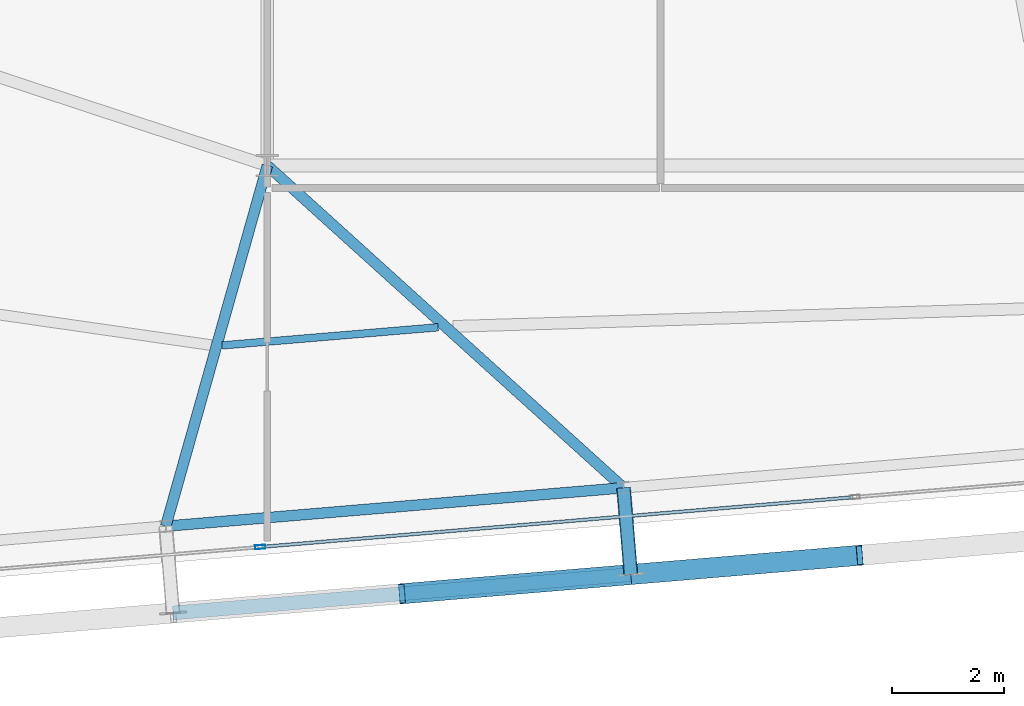
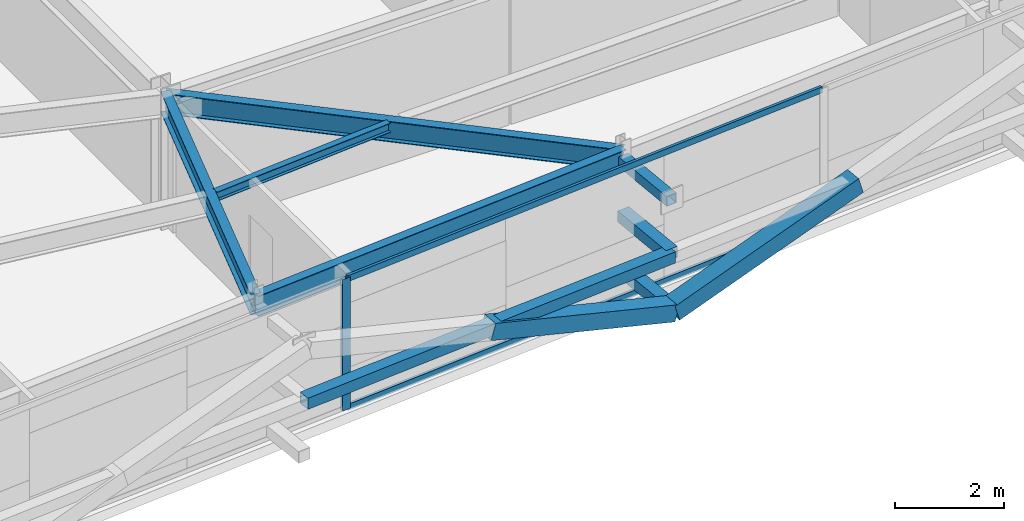
# One storey, part 9 of 37: 9 members, 4 beams, 1 element without a shape of its own.
"""IFC4 building model written with IfcOpenShell, lengths in metres."""

from ifc_helpers import new_model, si_unit, direction, frame, origin, origin_2d, place, context, subcontext, project, spatial, hollow_rectangle, i_section, extrude, source, transform, mapped, material, layer, layer_set, material_profile, profile_set, type_object, element, aggregate, save


model = new_model("IFC4")

# Units and contexts
model_context = context("Model", 3, precision=1e-05, world=origin(), true_north=direction((0.0, 1.0)))
body_context = subcontext(model_context, "Body", "Model", "MODEL_VIEW")
ifc_project = project(units=[si_unit("LENGTHUNIT", "METRE"), si_unit("AREAUNIT", "SQUARE_METRE"), si_unit("VOLUMEUNIT", "CUBIC_METRE"), si_unit("PLANEANGLEUNIT", "RADIAN"), si_unit("MASSUNIT", "GRAM", prefix="KILO")], contexts=[model_context])

# Site, building, storey
site_placement = place(None, origin())
site = spatial("IfcSite", under=ifc_project, at=site_placement, CompositionType="ELEMENT")
building_placement = place(site_placement, origin())
building = spatial("IfcBuilding", under=site, at=building_placement, Name="Taldren Reach Tower", CompositionType="ELEMENT")
storey_placement = place(building_placement, frame((0.0, 0.0, 172.550048828125)))
storey = spatial("IfcBuildingStorey", under=building, at=storey_placement, Name="L52", CompositionType="ELEMENT", Elevation=172.550048828125)

# Members
ifc_material_1 = material(Name="Steel Gr 350 (C350L0)", Category="steel")
ifc_material_profile_1 = material_profile(ifc_material_1, hollow_rectangle(XDim=0.25, YDim=0.25, WallThickness=0.010009765625, at=origin_2d()), Name="250x250x10.0SHS")
ifc_profile_set_1 = profile_set([ifc_material_profile_1], Name="Steel Gr 350 (C350L0)")
member_type_1 = type_object("IfcMemberType", Name="MB-POST250", PredefinedType="POST", material=ifc_profile_set_1)
shared_shape_1 = source(origin(), body_context, "Body", "SweptSolid", [
    extrude(hollow_rectangle(XDim=0.25, YDim=0.25, WallThickness=0.010009765625, at=origin_2d()), origin(), (0.0, 0.0, 1.0), 1.5498046875),
])
for number, where, z_axis, x_axis, name in (
    (1, (34.34228515625, 3.462890625, 0.219970703125), (0.083645141657, -0.996495604746, 0.0), (0.996495604746, 0.083645141657, 0.0), "Exoskeleton base diaphragm tie strut B4-S3 L52"),
    (2, (34.34228515625, 3.462890625, 1.43505859375), (0.083645141657, -0.996495604746, 0.0), (0.996495604746, 0.083645141657, 0.0), "Exoskeleton mid-tier diaphragm tie B4-S3 L52"),
):
    element("IfcMember", number, at=place(storey_placement, frame(where, z_axis=z_axis, x_axis=x_axis)), inside=storey, type_object=member_type_1, Name=name, PredefinedType="POST", context=body_context, shape_type="MappedRepresentation", body=[
        mapped(shared_shape_1, transform((0.0, 0.0, 0.0), scale=1.0)),
    ])

# Beams
ifc_material_2 = material(Name="Steel Gr 350 (350PLUS)", Category="steel")
ifc_material_profile_2 = material_profile(ifc_material_2, i_section(OverallWidth=0.18994140625, OverallDepth=0.4541015625, WebThickness=0.008544921875, FlangeThickness=0.0126953125, at=origin_2d()), Name="460UB67.1")
ifc_profile_set_2 = profile_set([ifc_material_profile_2], Name="Steel Gr 350 (350PLUS)")
beam_type_1 = type_object("IfcBeamType", Name="SP-UB460B", PredefinedType="SPANDREL", material=ifc_profile_set_2)
shared_shape_2 = source(origin(), body_context, "Body", "SweptSolid", [
    extrude(i_section(OverallWidth=0.18994140625, OverallDepth=0.4541015625, WebThickness=0.008544921875, FlangeThickness=0.0126953125, at=origin_2d()), origin(), (0.0, 0.0, 1.0), 8.179931640625),
])
beam_1_placement = place(storey_placement, frame((26.19091796875, 2.778564453125, 2.702880859375), z_axis=(0.996494523218, 0.083658025296, 0.0), x_axis=(-0.083658025296, 0.996494523218, 0.0)))
element("IfcBeam", 3, at=beam_1_placement, inside=storey, type_object=beam_type_1, Name="Perimeter spandrel B4 S2-S3 L52", PredefinedType="SPANDREL", context=body_context, shape_type="MappedRepresentation", body=[
    mapped(shared_shape_2, transform((0.0, 0.0, 0.0), scale=1.0)),
])
ifc_material_profile_3 = material_profile(ifc_material_2, i_section(OverallWidth=0.19091796875, OverallDepth=0.4599609375, WebThickness=0.010009765625, FlangeThickness=0.01611328125, at=origin_2d()), Name="460UB82.1")
ifc_profile_set_3 = profile_set([ifc_material_profile_3], Name="Steel Gr 350 (350PLUS)")
beam_type_2 = type_object("IfcBeamType", Name="BM-UB460A", PredefinedType="BEAM", material=ifc_profile_set_3)
shared_shape_3 = source(origin(), body_context, "Body", "SweptSolid", [
    extrude(i_section(OverallWidth=0.19091796875, OverallDepth=0.4599609375, WebThickness=0.010009765625, FlangeThickness=0.01611328125, at=origin_2d()), origin(), (0.0, 0.0, 1.0), 6.67138671875),
])
beam_2_placement = place(storey_placement, frame((28.0, 9.199951171875, 2.699951171875), z_axis=(-0.271171579948, -0.962531025073, 0.0), x_axis=(0.962531025073, -0.271171579948, 0.0)))
element("IfcBeam", 4, at=beam_2_placement, inside=storey, type_object=beam_type_2, Name="Primary floor girder B4-S2 L52", PredefinedType="BEAM", context=body_context, shape_type="MappedRepresentation", body=[
    mapped(shared_shape_3, transform((0.0, 0.0, 0.0), scale=1.0)),
])
shared_shape_4 = source(origin(), body_context, "Body", "SweptSolid", [
    extrude(i_section(OverallWidth=0.19091796875, OverallDepth=0.4599609375, WebThickness=0.010009765625, FlangeThickness=0.01611328125, at=origin_2d()), origin(), (0.0, 0.0, 1.0), 8.552001953125),
])
beam_3_placement = place(storey_placement, frame((28.0, 9.199951171875, 2.699951171875), z_axis=(0.741605435155, -0.670836327689, 0.0), x_axis=(0.670836327689, 0.741605435155, 0.0)))
element("IfcBeam", 5, at=beam_3_placement, inside=storey, type_object=beam_type_2, Name="Primary floor girder B4-S3 L52", PredefinedType="BEAM", context=body_context, shape_type="MappedRepresentation", body=[
    mapped(shared_shape_4, transform((0.0, 0.0, 0.0), scale=1.0)),
])
ifc_material_3 = material(Name="Steel Gr 300 (300PLUS, 300 MPa)", Category="steel")
ifc_material_profile_4 = material_profile(ifc_material_3, i_section(OverallWidth=0.134033203125, OverallDepth=0.20703125, WebThickness=0.00634765625, FlangeThickness=0.009521484375, at=origin_2d()), Name="200UB29.8")
ifc_profile_set_4 = profile_set([ifc_material_profile_4], Name="Steel Gr 300 (300PLUS, 300 MPa)")
beam_type_3 = type_object("IfcBeamType", Name="JS-UB200", PredefinedType="JOIST", material=ifc_profile_set_4)
shared_shape_5 = source(origin(), body_context, "Body", "SweptSolid", [
    extrude(i_section(OverallWidth=0.134033203125, OverallDepth=0.20703125, WebThickness=0.00634765625, FlangeThickness=0.009521484375, at=origin_2d()), origin(), (0.0, 0.0, 1.0), 3.857177734375),
])
beam_4_placement = place(storey_placement, frame((27.197021484375, 5.997802734375, 2.826416015625), z_axis=(0.996493179166, 0.083674033464, 0.0), x_axis=(-0.083674033464, 0.996493179166, 0.0)))
element("IfcBeam", 6, at=beam_4_placement, inside=storey, type_object=beam_type_3, Name="Secondary floor joist B4 J2 L52", PredefinedType="JOIST", context=body_context, shape_type="MappedRepresentation", body=[
    mapped(shared_shape_5, transform((0.0, 0.0, 0.0), scale=1.0)),
])

# Members
ifc_material_4 = material(Name="Steel Gr 450 (C450L0)", Category="steel")
ifc_material_profile_5 = material_profile(ifc_material_4, hollow_rectangle(XDim=0.219970703125, YDim=0.219970703125, WallThickness=0.00830078125, at=origin_2d()), Name="220x220x8.2SHS")
ifc_profile_set_5 = profile_set([ifc_material_profile_5], Name="Steel Gr 450 (C450L0)")
member_type_2 = type_object("IfcMemberType", Name="MB-TIE219", PredefinedType="STRUT", material=ifc_profile_set_5)
shared_shape_6 = source(origin(), body_context, "Body", "SweptSolid", [
    extrude(hollow_rectangle(XDim=0.219970703125, YDim=0.219970703125, WallThickness=0.00830078125, at=origin_2d()), origin(), (0.0, 0.0, 1.0), 1.5498046875),
])
member_1_placement = place(storey_placement, frame((34.34228515625, 3.462890625, 2.64990234375), z_axis=(0.083645141657, -0.996495604746, 0.0), x_axis=(0.996495604746, 0.083645141657, 0.0)))
element("IfcMember", 7, at=member_1_placement, inside=storey, type_object=member_type_2, Name="Exoskeleton diaphragm tie strut B4-S3 L52", PredefinedType="STRUT", context=body_context, shape_type="MappedRepresentation", body=[
    mapped(shared_shape_6, transform((0.0, 0.0, 0.0), scale=1.0)),
])
shared_shape_7 = source(origin(), body_context, "Body", "SweptSolid", [
    extrude(hollow_rectangle(XDim=0.25, YDim=0.25, WallThickness=0.010009765625, at=origin_2d()), origin(), (0.0, 0.0, 1.0), 8.18017578125),
])
member_2_placement = place(storey_placement, frame((26.320556640625, 1.23388671875, 1.43505859375), z_axis=(0.996492034688, 0.083687662192, 0.0), x_axis=(-0.083687662192, 0.996492034688, 0.0)))
element("IfcMember", 8, at=member_2_placement, inside=storey, type_object=member_type_1, Name="Exoskeleton mid-height ring chord B4-S2 L52", PredefinedType="POST", context=body_context, shape_type="MappedRepresentation", body=[
    mapped(shared_shape_7, transform((0.0, 0.0, 0.0), scale=1.0)),
])
ifc_material_profile_6 = material_profile(ifc_material_4, hollow_rectangle(XDim=0.360107421875, YDim=0.360107421875, WallThickness=0.0126953125, at=origin_2d()), Name="360x360x12.7SHS")
ifc_profile_set_6 = profile_set([ifc_material_profile_6], Name="Steel Gr 450 (C450L0)")
member_type_3 = type_object("IfcMemberType", Name="MB-EXO356", PredefinedType="BRACE", material=ifc_profile_set_6)
shared_shape_8 = source(origin(), body_context, "Body", "SweptSolid", [
    extrude(hollow_rectangle(XDim=0.360107421875, YDim=0.360107421875, WallThickness=0.0126953125, at=origin_2d()), origin(), (0.0, 0.0, 1.0), 4.2666015625),
])
for number, where, z_axis, x_axis, name in (
    (9, (34.471923828125, 1.91845703125, 0.219970703125), (-0.955229159097, -0.080222312271, 0.284783486572), (0.083687662192, -0.996492034688, 0.0), "Exoskeleton Diagrid Brace B4-S2 L52"),
    (10, (34.471923828125, 1.91845703125, 0.219970703125), (0.955229159097, 0.080222312271, 0.284783486572), (-0.083687662192, 0.996492034688, 0.0), "Exoskeleton Diagrid Brace B4-S3 L52"),
):
    element("IfcMember", number, at=place(storey_placement, frame(where, z_axis=z_axis, x_axis=x_axis)), inside=storey, type_object=member_type_3, Name=name, PredefinedType="BRACE", context=body_context, shape_type="MappedRepresentation", body=[
        mapped(shared_shape_8, transform((0.0, 0.0, 0.0), scale=1.0)),
    ])

# Curtain wall, members
ifc_material_5 = material(Name="Aluminium and Low-E Glass Unitised System", Category="aluminium")
ifc_layer = layer(ifc_material_5, 0.159912109375)
ifc_layer_set = layer_set([ifc_layer], Name="Aluminium and Low-E Glass Unitised System")
curtain_wall_type = type_object("IfcCurtainWallType", Name="CW-SYS-5", PredefinedType="NOTDEFINED", material=ifc_layer_set)
curtain_wall_placement = place(storey_placement, origin())
curtain_wall = element("IfcCurtainWall", 11, at=curtain_wall_placement, inside=storey, type_object=curtain_wall_type, Name="Unitised curtain wall CW-L52-S", PredefinedType="NOTDEFINED")
ifc_material_6 = material(Name="Anodised Aluminium 6063-T6", Category="aluminium")
ifc_material_profile_7 = material_profile(ifc_material_6, hollow_rectangle(XDim=0.070068359375, YDim=0.179931640625, WallThickness=0.00390625, at=origin_2d()), Name="ALU-180x70x4RHS")
ifc_profile_set_7 = profile_set([ifc_material_profile_7], Name="Anodised Aluminium 6063-T6")
member_type_4 = type_object("IfcMemberType", Name="CW-MUL-180", PredefinedType="MULLION", material=ifc_profile_set_7)
shared_shape_9 = source(origin(), body_context, "Body", "SweptSolid", [
    extrude(hollow_rectangle(XDim=0.070068359375, YDim=0.179931640625, WallThickness=0.00390625, at=origin_2d()), origin(), (0.0, 0.0, 1.0), 2.929931640625),
])
member_3_placement = place(storey_placement, frame((27.872802734375, 2.407958984375, 0.0), z_axis=(0.0, 0.0, 1.0), x_axis=(-0.083677894865, 0.996492854922, 0.0)))
member_3 = element("IfcMember", 12, at=member_3_placement, type_object=member_type_4, Name="CW-5 mullion 2", PredefinedType="MULLION", context=body_context, shape_type="MappedRepresentation", body=[
    mapped(shared_shape_9, transform((0.0, 0.0, 0.0), scale=1.0)),
])
ifc_material_profile_8 = material_profile(ifc_material_6, hollow_rectangle(XDim=0.06005859375, YDim=0.135009765625, WallThickness=0.00341796875, at=origin_2d()), Name="ALU-135x60x3.5RHS")
ifc_profile_set_8 = profile_set([ifc_material_profile_8], Name="Anodised Aluminium 6063-T6")
member_type_5 = type_object("IfcMemberType", Name="CW-TRN-150", PredefinedType="USERDEFINED", material=ifc_profile_set_8)
shared_shape_10 = source(origin(), body_context, "Body", "SweptSolid", [
    extrude(hollow_rectangle(XDim=0.06005859375, YDim=0.135009765625, WallThickness=0.00341796875, at=origin_2d()), origin(), (0.0, 0.0, 1.0), 10.55517578125),
])
member_4_placement = place(storey_placement, frame((27.90771484375, 2.410888671875, 0.030029296875), z_axis=(0.996492274094, 0.083684811468, 0.0), x_axis=(-0.083684811468, 0.996492274094, 0.0)))
member_4 = element("IfcMember", 13, at=member_4_placement, type_object=member_type_5, Name="CW-5 transom 2.1", ObjectType="TRANSOM", PredefinedType="USERDEFINED", context=body_context, shape_type="MappedRepresentation", body=[
    mapped(shared_shape_10, transform((0.0, 0.0, 0.0), scale=1.0)),
])
member_5_placement = place(storey_placement, frame((27.90771484375, 2.410888671875, 2.89990234375), z_axis=(0.996492274094, 0.083684811468, 0.0), x_axis=(-0.083684811468, 0.996492274094, 0.0)))
member_5 = element("IfcMember", 14, at=member_5_placement, type_object=member_type_5, Name="CW-5 transom 2.2", ObjectType="TRANSOM", PredefinedType="USERDEFINED", context=body_context, shape_type="MappedRepresentation", body=[
    mapped(shared_shape_10, transform((0.0, 0.0, 0.0), scale=1.0)),
])
aggregate(curtain_wall, [member_3, member_4, member_5])

save(model, "model.ifc")
